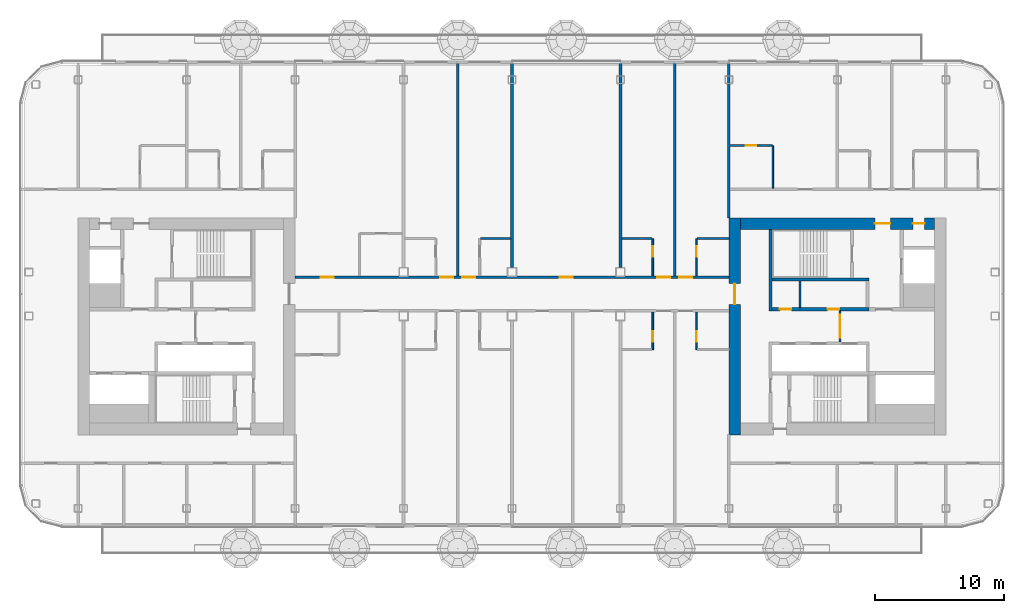
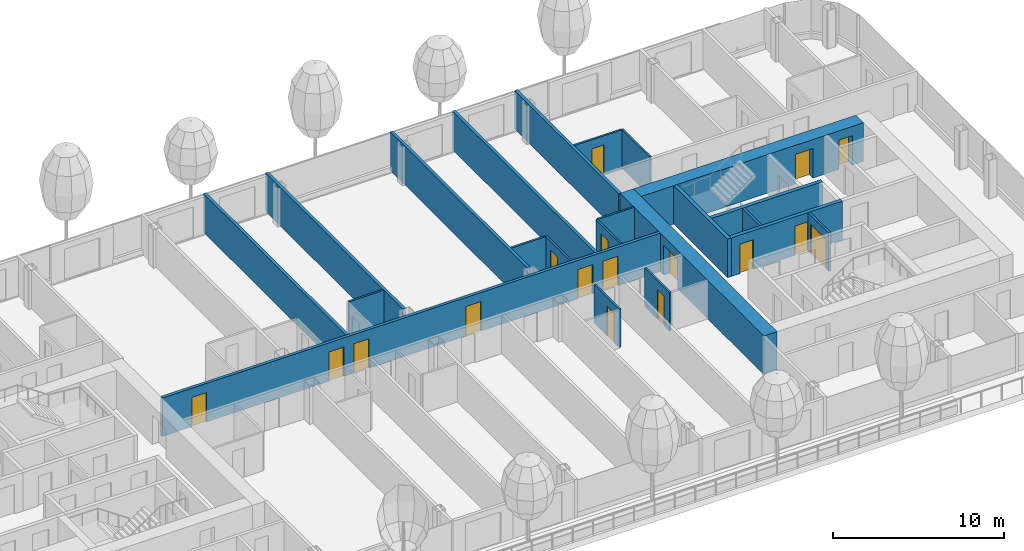
# One storey, part 13 of 28: 22 walls, 17 doors, 17 openings.
"""IFC4 building model written with IfcOpenShell, lengths in metres."""

from ifc_helpers import new_model, si_unit, direction, frame, frame_2d, origin, place, context, subcontext, project, spatial, rectangle, extrude, material, layer, layer_set, type_object, element, fill, save


model = new_model("IFC4")

# Units and contexts
model_context = context("Model", 3, precision=1e-05, world=origin(), true_north=direction((0.0, 1.0)))
body_context = subcontext(model_context, "Body", "Model", "MODEL_VIEW")
ifc_project = project(units=[si_unit("LENGTHUNIT", "METRE"), si_unit("AREAUNIT", "SQUARE_METRE"), si_unit("VOLUMEUNIT", "CUBIC_METRE"), si_unit("PLANEANGLEUNIT", "RADIAN"), si_unit("MASSUNIT", "GRAM", prefix="KILO")], contexts=[model_context])

# Site, building, storey
site_placement = place(None, origin())
site = spatial("IfcSite", under=ifc_project, at=site_placement, CompositionType="ELEMENT")
building_placement = place(site_placement, origin())
building = spatial("IfcBuilding", under=site, at=building_placement, Name="Hakoniwa Tower and Hamabe Station Hall", CompositionType="ELEMENT")
storey_placement = place(building_placement, frame((0.0, 0.0, 193.0)))
storey = spatial("IfcBuildingStorey", under=building, at=storey_placement, Name="L54", CompositionType="ELEMENT", Elevation=193.0)

# Walls
ifc_material_1 = material(Name="Gypsum board partition", Category="gypsum")
ifc_layer_1 = layer(ifc_material_1, 0.125)
ifc_layer_set_1 = layer_set([ifc_layer_1], Name="Bathroom Partition 125")
wall_type_1 = type_object("IfcWallType", Name="Bathroom Partition 125", PredefinedType="PARTITIONING", material=ifc_layer_set_1)
for number, where, z_axis, x_axis, name in (
    (1, (-2.4375, 6.800048828125, 0.0), (0.0, 0.0, 1.0), (1.0, 0.0, 0.0), "GW-L54-011"),
    (2, (8.5, 6.800048828125, 0.0), (0.0, 0.0, 1.0), (1.0, 0.0, 0.0), "GW-L54-012"),
):
    element("IfcWall", number, at=place(storey_placement, frame(where, z_axis=z_axis, x_axis=x_axis)), inside=storey, type_object=wall_type_1, Name=name, PredefinedType="PARTITIONING", context=body_context, shape_type="SweptSolid", body=[
        extrude(rectangle(XDim=2.33740234375, YDim=0.125, at=frame_2d((1.168701171875, 0.0))), origin(), (0.0, 0.0, 1.0), 2.75),
    ])
wall_1_placement = place(storey_placement, frame((14.362548828125, 6.800048828125, 0.0), z_axis=(0.0, 0.0, 1.0), x_axis=(1.0, 0.0, 0.0)))
element("IfcWall", 3, at=wall_1_placement, inside=storey, type_object=wall_type_1, Name="GW-L54-013", PredefinedType="PARTITIONING", context=body_context, shape_type="SweptSolid", body=[
    extrude(rectangle(XDim=2.447509765625, YDim=0.125, at=frame_2d((1.2236328125, 0.0))), origin(), (0.0, 0.0, 1.0), 2.75),
])

# Wall, opening, door
wall_2_placement = place(storey_placement, frame((16.89990234375, 14.0, 0.0), z_axis=(0.0, 0.0, 1.0), x_axis=(1.0, 0.0, 0.0)))
wall_2 = element("IfcWall", 4, at=wall_2_placement, inside=storey, type_object=wall_type_1, Name="GW-L54-022", PredefinedType="PARTITIONING", context=body_context, shape_type="SweptSolid", body=[
    extrude(rectangle(XDim=3.237548828125, YDim=0.125, at=frame_2d((1.61865234375, 0.0))), origin(), (0.0, 0.0, 1.0), 2.75),
])
opening_1_placement = place(wall_2_placement, frame((1.199951171875, 0.0, 0.0)))
opening_1 = element("IfcOpeningElement", 5, at=opening_1_placement, cuts=wall_2, Name="Opening GD-G4C0-33", PredefinedType="OPENING", context=body_context, shape_type="SweptSolid", body=[
    extrude(rectangle(XDim=0.800048828125, YDim=2.10009765625, at=frame_2d((0.39990234375, 1.050048828125))), frame((0.0, 0.072509765625, 0.0), z_axis=(0.0, -1.0, 0.0), x_axis=(1.0, 0.0, 0.0)), (0.0, 0.0, 1.0), 0.14501953125),
])
ifc_material_2 = material(Name="Timber door leaf", Category="wood")
door_type_1 = type_object("IfcDoorType", Name="Bathroom Door 800", OperationType="SINGLE_SWING_LEFT", PredefinedType="DOOR", material=ifc_material_2)
door_1_placement = place(opening_1_placement, origin())
door_1 = element("IfcDoor", 6, at=door_1_placement, inside=storey, type_object=door_type_1, Name="Door GD-G4C0-33", OperationType="SINGLE_SWING_RIGHT", OverallHeight=2.10009765625, OverallWidth=0.800048828125, PredefinedType="DOOR", context=body_context, shape_type="SweptSolid", body=[
    extrude(rectangle(XDim=0.800048828125, YDim=2.10009765625, at=frame_2d((0.39990234375, 1.050048828125))), frame((0.0, 0.02490234375, 0.0), z_axis=(0.0, -1.0, 0.0), x_axis=(1.0, 0.0, 0.0)), (0.0, 0.0, 1.0), 0.050048828125),
])
fill(opening_1, door_1)

wall_3_placement = place(storey_placement, frame((10.89990234375, -1.800048828125, 0.0), z_axis=(0.0, 0.0, 1.0), x_axis=(0.0, 1.0, 0.0)))
wall_3 = element("IfcWall", 7, at=wall_3_placement, inside=storey, type_object=wall_type_1, Name="GW-L54-050", PredefinedType="PARTITIONING", context=body_context, shape_type="SweptSolid", body=[
    extrude(rectangle(XDim=2.900146484375, YDim=0.125, at=frame_2d((1.4501953125, 0.0))), origin(), (0.0, 0.0, 1.0), 2.75),
])
opening_2_placement = place(wall_3_placement, frame((0.60009765625, 0.0, 0.0)))
opening_2 = element("IfcOpeningElement", 8, at=opening_2_placement, cuts=wall_3, Name="Opening GD-G4C0-41", PredefinedType="OPENING", context=body_context, shape_type="SweptSolid", body=[
    extrude(rectangle(XDim=0.800048828125, YDim=2.10009765625, at=frame_2d((0.39990234375, 1.050048828125))), frame((0.0, 0.072509765625, 0.0), z_axis=(0.0, -1.0, 0.0), x_axis=(1.0, 0.0, 0.0)), (0.0, 0.0, 1.0), 0.14501953125),
])
door_2_placement = place(opening_2_placement, origin())
door_2 = element("IfcDoor", 9, at=door_2_placement, inside=storey, type_object=door_type_1, Name="Door GD-G4C0-41", OperationType="SINGLE_SWING_RIGHT", OverallHeight=2.10009765625, OverallWidth=0.800048828125, PredefinedType="DOOR", context=body_context, shape_type="SweptSolid", body=[
    extrude(rectangle(XDim=0.800048828125, YDim=2.10009765625, at=frame_2d((0.39990234375, 1.050048828125))), frame((0.0, 0.02490234375, 0.0), z_axis=(0.0, -1.0, 0.0), x_axis=(1.0, 0.0, 0.0)), (0.0, 0.0, 1.0), 0.050048828125),
])
fill(opening_2, door_2)

wall_4_placement = place(storey_placement, frame((10.89990234375, 3.89990234375, 0.0), z_axis=(0.0, 0.0, 1.0), x_axis=(0.0, 1.0, 0.0)))
wall_4 = element("IfcWall", 10, at=wall_4_placement, inside=storey, type_object=wall_type_1, Name="GW-L54-051", PredefinedType="PARTITIONING", context=body_context, shape_type="SweptSolid", body=[
    extrude(rectangle(XDim=2.900146484375, YDim=0.125, at=frame_2d((1.4501953125, 0.0))), origin(), (0.0, 0.0, 1.0), 2.75),
])
opening_3_placement = place(wall_4_placement, frame((1.5, 0.0, 0.0)))
opening_3 = element("IfcOpeningElement", 11, at=opening_3_placement, cuts=wall_4, Name="Opening GD-G4C0-42", PredefinedType="OPENING", context=body_context, shape_type="SweptSolid", body=[
    extrude(rectangle(XDim=0.800048828125, YDim=2.10009765625, at=frame_2d((0.39990234375, 1.050048828125))), frame((0.0, 0.072509765625, 0.0), z_axis=(0.0, -1.0, 0.0), x_axis=(1.0, 0.0, 0.0)), (0.0, 0.0, 1.0), 0.14501953125),
])
door_3_placement = place(opening_3_placement, origin())
door_3 = element("IfcDoor", 12, at=door_3_placement, inside=storey, type_object=door_type_1, Name="Door GD-G4C0-42", OperationType="SINGLE_SWING_LEFT", OverallHeight=2.10009765625, OverallWidth=0.800048828125, PredefinedType="DOOR", context=body_context, shape_type="SweptSolid", body=[
    extrude(rectangle(XDim=0.800048828125, YDim=2.10009765625, at=frame_2d((0.39990234375, 1.050048828125))), frame((0.0, 0.02490234375, 0.0), z_axis=(0.0, -1.0, 0.0), x_axis=(1.0, 0.0, 0.0)), (0.0, 0.0, 1.0), 0.050048828125),
])
fill(opening_3, door_3)

wall_5_placement = place(storey_placement, frame((14.300048828125, -1.800048828125, 0.0), z_axis=(0.0, 0.0, 1.0), x_axis=(0.0, 1.0, 0.0)))
wall_5 = element("IfcWall", 13, at=wall_5_placement, inside=storey, type_object=wall_type_1, Name="GW-L54-054", PredefinedType="PARTITIONING", context=body_context, shape_type="SweptSolid", body=[
    extrude(rectangle(XDim=2.900146484375, YDim=0.125, at=frame_2d((1.4501953125, 0.0))), origin(), (0.0, 0.0, 1.0), 2.75),
])
opening_4_placement = place(wall_5_placement, frame((0.60009765625, 0.0, 0.0)))
opening_4 = element("IfcOpeningElement", 14, at=opening_4_placement, cuts=wall_5, Name="Opening GD-G4C0-43", PredefinedType="OPENING", context=body_context, shape_type="SweptSolid", body=[
    extrude(rectangle(XDim=0.800048828125, YDim=2.10009765625, at=frame_2d((0.39990234375, 1.050048828125))), frame((0.0, 0.072509765625, 0.0), z_axis=(0.0, -1.0, 0.0), x_axis=(1.0, 0.0, 0.0)), (0.0, 0.0, 1.0), 0.14501953125),
])
door_4_placement = place(opening_4_placement, origin())
door_4 = element("IfcDoor", 15, at=door_4_placement, inside=storey, type_object=door_type_1, Name="Door GD-G4C0-43", OperationType="SINGLE_SWING_LEFT", OverallHeight=2.10009765625, OverallWidth=0.800048828125, PredefinedType="DOOR", context=body_context, shape_type="SweptSolid", body=[
    extrude(rectangle(XDim=0.800048828125, YDim=2.10009765625, at=frame_2d((0.39990234375, 1.050048828125))), frame((0.0, 0.02490234375, 0.0), z_axis=(0.0, -1.0, 0.0), x_axis=(1.0, 0.0, 0.0)), (0.0, 0.0, 1.0), 0.050048828125),
])
fill(opening_4, door_4)

wall_6_placement = place(storey_placement, frame((14.300048828125, 3.89990234375, 0.0), z_axis=(0.0, 0.0, 1.0), x_axis=(0.0, 1.0, 0.0)))
wall_6 = element("IfcWall", 16, at=wall_6_placement, inside=storey, type_object=wall_type_1, Name="GW-L54-055", PredefinedType="PARTITIONING", context=body_context, shape_type="SweptSolid", body=[
    extrude(rectangle(XDim=2.900146484375, YDim=0.125, at=frame_2d((1.4501953125, 0.0))), origin(), (0.0, 0.0, 1.0), 2.75),
])
opening_5_placement = place(wall_6_placement, frame((1.5, 0.0, 0.0)))
opening_5 = element("IfcOpeningElement", 17, at=opening_5_placement, cuts=wall_6, Name="Opening GD-G4C0-44", PredefinedType="OPENING", context=body_context, shape_type="SweptSolid", body=[
    extrude(rectangle(XDim=0.800048828125, YDim=2.10009765625, at=frame_2d((0.39990234375, 1.050048828125))), frame((0.0, 0.072509765625, 0.0), z_axis=(0.0, -1.0, 0.0), x_axis=(1.0, 0.0, 0.0)), (0.0, 0.0, 1.0), 0.14501953125),
])
door_5_placement = place(opening_5_placement, origin())
door_5 = element("IfcDoor", 18, at=door_5_placement, inside=storey, type_object=door_type_1, Name="Door GD-G4C0-44", OperationType="SINGLE_SWING_RIGHT", OverallHeight=2.10009765625, OverallWidth=0.800048828125, PredefinedType="DOOR", context=body_context, shape_type="SweptSolid", body=[
    extrude(rectangle(XDim=0.800048828125, YDim=2.10009765625, at=frame_2d((0.39990234375, 1.050048828125))), frame((0.0, 0.02490234375, 0.0), z_axis=(0.0, -1.0, 0.0), x_axis=(1.0, 0.0, 0.0)), (0.0, 0.0, 1.0), 0.050048828125),
])
fill(opening_5, door_5)

# Wall
wall_7_placement = place(storey_placement, frame((20.199951171875, 10.699951171875, 0.0), z_axis=(0.0, 0.0, 1.0), x_axis=(0.0, 1.0, 0.0)))
element("IfcWall", 19, at=wall_7_placement, inside=storey, type_object=wall_type_1, Name="GW-L54-058", PredefinedType="PARTITIONING", context=body_context, shape_type="SweptSolid", body=[
    extrude(rectangle(XDim=3.300048828125, YDim=0.125, at=frame_2d((1.64990234375, 0.0))), origin(), (0.0, 0.0, 1.0), 2.75),
])

# Wall, opening, door
ifc_material_3 = material(Name="Gypsum board partition")
ifc_layer_2 = layer(ifc_material_3, 0.14990234375)
ifc_layer_set_2 = layer_set([ifc_layer_2], Name="CORE PARTITION 150 EI 60")
wall_type_2 = type_object("IfcWallType", Name="CORE PARTITION 150 EI 60", PredefinedType="PARTITIONING", material=ifc_layer_set_2)
wall_8_placement = place(storey_placement, frame((25.39990234375, -1.199951171875, 0.0), z_axis=(0.0, 0.0, 1.0), x_axis=(0.0, 1.0, 0.0)))
wall_8 = element("IfcWall", 20, at=wall_8_placement, inside=storey, type_object=wall_type_2, Name="Core partition PL0 east", PredefinedType="PARTITIONING", context=body_context, shape_type="SweptSolid", body=[
    extrude(rectangle(XDim=2.39990234375, YDim=0.14990234375, at=frame_2d((1.199951171875, 0.0))), origin(), (0.0, 0.0, 1.0), 2.75),
])
opening_6_placement = place(wall_8_placement, frame((0.300048828125, 0.0, 0.0)))
opening_6 = element("IfcOpeningElement", 21, at=opening_6_placement, cuts=wall_8, Name="Opening CD-E-LP0-18", PredefinedType="OPENING", context=body_context, shape_type="SweptSolid", body=[
    extrude(rectangle(XDim=1.800048828125, YDim=2.10009765625, at=frame_2d((0.89990234375, 1.050048828125))), frame((0.0, 0.0849609375, 0.0), z_axis=(0.0, -1.0, 0.0), x_axis=(1.0, 0.0, 0.0)), (0.0, 0.0, 1.0), 0.169921875),
])
ifc_material_4 = material(Name="Steel fire door", Category="steel")
door_type_2 = type_object("IfcDoorType", Name="CORE DOOR 1800 FD60", OperationType="DOUBLE_DOOR_SINGLE_SWING", PredefinedType="DOOR", material=ifc_material_4)
door_6_placement = place(opening_6_placement, origin())
door_6 = element("IfcDoor", 22, at=door_6_placement, inside=storey, type_object=door_type_2, Name="Lift lobby partition door", OperationType="DOUBLE_DOOR_SINGLE_SWING", OverallHeight=2.10009765625, OverallWidth=1.800048828125, PredefinedType="DOOR", context=body_context, shape_type="SweptSolid", body=[
    extrude(rectangle(XDim=1.800048828125, YDim=2.10009765625, at=frame_2d((0.89990234375, 1.050048828125))), frame((0.0, 0.02490234375, 0.0), z_axis=(0.0, -1.0, 0.0), x_axis=(1.0, 0.0, 0.0)), (0.0, 0.0, 1.0), 0.050048828125),
])
fill(opening_6, door_6)

# Wall
wall_9_placement = place(storey_placement, frame((22.300048828125, 1.449951171875, 0.0), z_axis=(0.0, 0.0, 1.0), x_axis=(0.0, 1.0, 0.0)))
element("IfcWall", 23, at=wall_9_placement, inside=storey, type_object=wall_type_2, Name="Core partition PFLR0 east", PredefinedType="PARTITIONING", context=body_context, shape_type="SweptSolid", body=[
    extrude(rectangle(XDim=2.050048828125, YDim=0.14990234375, at=frame_2d((1.02490234375, 0.0))), origin(), (0.0, 0.0, 1.0), 2.75),
])

# Wall, opening, door
ifc_material_5 = material(Name="Concrete C60", Category="concrete")
ifc_layer_3 = layer(ifc_material_5, 0.89990234375)
ifc_layer_set_3 = layer_set([ifc_layer_3], Name="CORE WALL 900 C60")
wall_type_3 = type_object("IfcWallType", Name="CORE WALL 900 C60", PredefinedType="SHEAR", material=ifc_layer_set_3)
wall_10_placement = place(storey_placement, frame((17.25, -8.39990234375, 0.0), z_axis=(0.0, 0.0, 1.0), x_axis=(0.0, 1.0, 0.0)))
wall_10 = element("IfcWall", 24, at=wall_10_placement, inside=storey, type_object=wall_type_3, Name="Core wall INNER east", PredefinedType="SHEAR", context=body_context, shape_type="SweptSolid", body=[
    extrude(rectangle(XDim=16.7998046875, YDim=0.89990234375, at=frame_2d((8.39990234375, 0.0))), origin(), (0.0, 0.0, 1.0), 2.75),
])
opening_7_placement = place(wall_10_placement, frame((10.10009765625, 0.0, 0.0)))
opening_7 = element("IfcOpeningElement", 25, at=opening_7_placement, cuts=wall_10, Name="Opening CD-E-IN1-16", PredefinedType="OPENING", context=body_context, shape_type="SweptSolid", body=[
    extrude(rectangle(XDim=1.60009765625, YDim=2.10009765625, at=frame_2d((0.800048828125, 1.050048828125))), frame((0.0, 0.4599609375, 0.0), z_axis=(0.0, -1.0, 0.0), x_axis=(1.0, 0.0, 0.0)), (0.0, 0.0, 1.0), 0.919921875),
])
ifc_material_6 = material(Name="Steel fire door", Category="steel")
door_type_3 = type_object("IfcDoorType", Name="CORE DOOR 1600 FD60", OperationType="DOUBLE_DOOR_SINGLE_SWING", PredefinedType="DOOR", material=ifc_material_6)
door_7_placement = place(opening_7_placement, origin())
door_7 = element("IfcDoor", 26, at=door_7_placement, inside=storey, type_object=door_type_3, Name="Lift lobby door", OperationType="DOUBLE_DOOR_SINGLE_SWING", OverallHeight=2.10009765625, OverallWidth=1.60009765625, PredefinedType="DOOR", context=body_context, shape_type="SweptSolid", body=[
    extrude(rectangle(XDim=1.60009765625, YDim=2.10009765625, at=frame_2d((0.800048828125, 1.050048828125))), frame((0.0, 0.02490234375, 0.0), z_axis=(0.0, -1.0, 0.0), x_axis=(1.0, 0.0, 0.0)), (0.0, 0.0, 1.0), 0.050048828125),
])
fill(opening_7, door_7)

# Wall, openings, doors
wall_11_placement = place(storey_placement, frame((17.699951171875, 7.949951171875, 0.0), z_axis=(0.0, 0.0, 1.0), x_axis=(1.0, 0.0, 0.0)))
wall_11 = element("IfcWall", 27, at=wall_11_placement, inside=storey, type_object=wall_type_3, Name="Core wall NORTH east", PredefinedType="SHEAR", context=body_context, shape_type="SweptSolid", body=[
    extrude(rectangle(XDim=15.0, YDim=0.89990234375, at=frame_2d((7.5, 0.0))), origin(), (0.0, 0.0, 1.0), 2.75),
])
opening_8_placement = place(wall_11_placement, frame((10.39990234375, 0.0, 0.0)))
opening_8 = element("IfcOpeningElement", 28, at=opening_8_placement, cuts=wall_11, Name="Opening CD-E-FN1-12", PredefinedType="OPENING", context=body_context, shape_type="SweptSolid", body=[
    extrude(rectangle(XDim=1.199951171875, YDim=2.10009765625, at=frame_2d((0.60009765625, 1.050048828125))), frame((0.0, 0.4599609375, 0.0), z_axis=(0.0, -1.0, 0.0), x_axis=(1.0, 0.0, 0.0)), (0.0, 0.0, 1.0), 0.919921875),
])
opening_9_placement = place(wall_11_placement, frame((13.35009765625, 0.0, 0.0)))
opening_9 = element("IfcOpeningElement", 29, at=opening_9_placement, cuts=wall_11, Name="Opening CD-E-FN2-9", PredefinedType="OPENING", context=body_context, shape_type="SweptSolid", body=[
    extrude(rectangle(XDim=0.89990234375, YDim=2.10009765625, at=frame_2d((0.449951171875, 1.050048828125))), frame((0.0, 0.4599609375, 0.0), z_axis=(0.0, -1.0, 0.0), x_axis=(1.0, 0.0, 0.0)), (0.0, 0.0, 1.0), 0.919921875),
])
ifc_material_7 = material(Name="Steel fire door", Category="steel")
door_type_4 = type_object("IfcDoorType", Name="CORE DOOR 1200 FD60", OperationType="DOUBLE_DOOR_SINGLE_SWING", PredefinedType="DOOR", material=ifc_material_7)
door_8_placement = place(opening_8_placement, origin())
door_8 = element("IfcDoor", 30, at=door_8_placement, inside=storey, type_object=door_type_4, Name="Stair vestibule door to the fire-fighting lobby", OperationType="DOUBLE_DOOR_SINGLE_SWING", OverallHeight=2.10009765625, OverallWidth=1.199951171875, PredefinedType="DOOR", context=body_context, shape_type="SweptSolid", body=[
    extrude(rectangle(XDim=1.199951171875, YDim=2.10009765625, at=frame_2d((0.60009765625, 1.050048828125))), frame((0.0, 0.02490234375, 0.0), z_axis=(0.0, -1.0, 0.0), x_axis=(1.0, 0.0, 0.0)), (0.0, 0.0, 1.0), 0.050048828125),
])
fill(opening_8, door_8)
ifc_material_8 = material(Name="Steel fire door", Category="steel")
door_type_5 = type_object("IfcDoorType", Name="CORE DOOR 900 FD30", OperationType="NOTDEFINED", PredefinedType="DOOR", material=ifc_material_8)
door_9_placement = place(opening_9_placement, origin())
door_9 = element("IfcDoor", 31, at=door_9_placement, inside=storey, type_object=door_type_5, Name="Riser access door", OperationType="SINGLE_SWING_RIGHT", OverallHeight=2.10009765625, OverallWidth=0.89990234375, PredefinedType="DOOR", context=body_context, shape_type="SweptSolid", body=[
    extrude(rectangle(XDim=0.89990234375, YDim=2.10009765625, at=frame_2d((0.449951171875, 1.050048828125))), frame((0.0, 0.02490234375, 0.0), z_axis=(0.0, -1.0, 0.0), x_axis=(1.0, 0.0, 0.0)), (0.0, 0.0, 1.0), 0.050048828125),
])
fill(opening_9, door_9)

# Wall
ifc_material_9 = material(Name="Concrete C60", Category="concrete")
ifc_layer_4 = layer(ifc_material_9, 0.25)
ifc_layer_set_4 = layer_set([ifc_layer_4], Name="CORE WEB WALL 250 C60")
wall_type_4 = type_object("IfcWallType", Name="CORE WEB WALL 250 C60", PredefinedType="SHEAR", material=ifc_layer_set_4)
wall_12_placement = place(storey_placement, frame((20.02490234375, 1.199951171875, 0.0), z_axis=(0.0, 0.0, 1.0), x_axis=(0.0, 1.0, 0.0)))
element("IfcWall", 32, at=wall_12_placement, inside=storey, type_object=wall_type_4, Name="Core wall W1N east", PredefinedType="SHEAR", context=body_context, shape_type="SweptSolid", body=[
    extrude(rectangle(XDim=6.300048828125, YDim=0.25, at=frame_2d((3.14990234375, 0.0))), origin(), (0.0, 0.0, 1.0), 2.75),
])

# Wall, openings, doors
wall_13_placement = place(storey_placement, frame((20.14990234375, 1.324951171875, 0.0), z_axis=(0.0, 0.0, 1.0), x_axis=(1.0, 0.0, 0.0)))
wall_13 = element("IfcWall", 33, at=wall_13_placement, inside=storey, type_object=wall_type_4, Name="Core wall NF east", PredefinedType="SHEAR", context=body_context, shape_type="SweptSolid", body=[
    extrude(rectangle(XDim=7.5, YDim=0.25, at=frame_2d((3.75, 0.0))), origin(), (0.0, 0.0, 1.0), 2.75),
])
opening_10_placement = place(wall_13_placement, frame((0.58740234375, 0.0, 0.0)))
opening_10 = element("IfcOpeningElement", 34, at=opening_10_placement, cuts=wall_13, Name="Opening CD-E-FRLR0-9", PredefinedType="OPENING", context=body_context, shape_type="SweptSolid", body=[
    extrude(rectangle(XDim=0.89990234375, YDim=2.10009765625, at=frame_2d((0.449951171875, 1.050048828125))), frame((0.0, 0.135009765625, 0.0), z_axis=(0.0, -1.0, 0.0), x_axis=(1.0, 0.0, 0.0)), (0.0, 0.0, 1.0), 0.27001953125),
])
opening_11_placement = place(wall_13_placement, frame((4.28759765625, 0.0, 0.0)))
opening_11 = element("IfcOpeningElement", 35, at=opening_11_placement, cuts=wall_13, Name="Opening CD-E-FRLR1-9", PredefinedType="OPENING", context=body_context, shape_type="SweptSolid", body=[
    extrude(rectangle(XDim=0.89990234375, YDim=2.10009765625, at=frame_2d((0.449951171875, 1.050048828125))), frame((0.0, 0.135009765625, 0.0), z_axis=(0.0, -1.0, 0.0), x_axis=(1.0, 0.0, 0.0)), (0.0, 0.0, 1.0), 0.27001953125),
])
door_10_placement = place(opening_10_placement, origin())
door_10 = element("IfcDoor", 36, at=door_10_placement, inside=storey, type_object=door_type_5, Name="Store room door", OperationType="SINGLE_SWING_RIGHT", OverallHeight=2.10009765625, OverallWidth=0.89990234375, PredefinedType="DOOR", context=body_context, shape_type="SweptSolid", body=[
    extrude(rectangle(XDim=0.89990234375, YDim=2.10009765625, at=frame_2d((0.449951171875, 1.050048828125))), frame((0.0, 0.02490234375, 0.0), z_axis=(0.0, -1.0, 0.0), x_axis=(1.0, 0.0, 0.0)), (0.0, 0.0, 1.0), 0.050048828125),
])
fill(opening_10, door_10)
door_11_placement = place(opening_11_placement, origin())
door_11 = element("IfcDoor", 37, at=door_11_placement, inside=storey, type_object=door_type_5, Name="Store room door", OperationType="SINGLE_SWING_RIGHT", OverallHeight=2.10009765625, OverallWidth=0.89990234375, PredefinedType="DOOR", context=body_context, shape_type="SweptSolid", body=[
    extrude(rectangle(XDim=0.89990234375, YDim=2.10009765625, at=frame_2d((0.449951171875, 1.050048828125))), frame((0.0, 0.02490234375, 0.0), z_axis=(0.0, -1.0, 0.0), x_axis=(1.0, 0.0, 0.0)), (0.0, 0.0, 1.0), 0.050048828125),
])
fill(opening_11, door_11)

# Wall
wall_14_placement = place(storey_placement, frame((20.14990234375, 3.625, 0.0), z_axis=(0.0, 0.0, 1.0), x_axis=(1.0, 0.0, 0.0)))
element("IfcWall", 38, at=wall_14_placement, inside=storey, type_object=wall_type_4, Name="Core wall NR east", PredefinedType="SHEAR", context=body_context, shape_type="SweptSolid", body=[
    extrude(rectangle(XDim=7.5, YDim=0.25, at=frame_2d((3.75, 0.0))), origin(), (0.0, 0.0, 1.0), 2.75),
])

# Wall, openings, doors
ifc_material_10 = material(Name="Fire-rated gypsum board partition", Category="gypsum")
ifc_layer_5 = layer(ifc_material_10, 0.199951171875)
ifc_layer_set_5 = layer_set([ifc_layer_5], Name="Corridor Wall 200")
wall_type_5 = type_object("IfcWallType", Name="Corridor Wall 200", PredefinedType="PARTITIONING", material=ifc_layer_set_5)
wall_15_placement = place(storey_placement, frame((-16.800048828125, 3.800048828125, 0.0), z_axis=(0.0, 0.0, 1.0), x_axis=(1.0, 0.0, 0.0)))
wall_15 = element("IfcWall", 39, at=wall_15_placement, inside=storey, type_object=wall_type_5, Name="GW-L54-009", PredefinedType="PARTITIONING", context=body_context, shape_type="SweptSolid", body=[
    extrude(rectangle(XDim=33.60009765625, YDim=0.199951171875, at=frame_2d((16.800048828125, 0.0))), origin(), (0.0, 0.0, 1.0), 2.75),
])
opening_12_placement = place(wall_15_placement, frame((2.0, 0.0, 0.0)))
opening_12 = element("IfcOpeningElement", 40, at=opening_12_placement, cuts=wall_15, Name="Opening GD-G4C0-18", PredefinedType="OPENING", context=body_context, shape_type="SweptSolid", body=[
    extrude(rectangle(XDim=1.0, YDim=2.10009765625, at=frame_2d((0.5, 1.050048828125))), frame((0.0, 0.10986328125, 0.0), z_axis=(0.0, -1.0, 0.0), x_axis=(1.0, 0.0, 0.0)), (0.0, 0.0, 1.0), 0.219970703125),
])
opening_13_placement = place(wall_15_placement, frame((11.25, 0.0, 0.0)))
opening_13 = element("IfcOpeningElement", 41, at=opening_13_placement, cuts=wall_15, Name="Opening GD-G4C0-19", PredefinedType="OPENING", context=body_context, shape_type="SweptSolid", body=[
    extrude(rectangle(XDim=1.0, YDim=2.10009765625, at=frame_2d((0.5, 1.050048828125))), frame((0.0, 0.10986328125, 0.0), z_axis=(0.0, -1.0, 0.0), x_axis=(1.0, 0.0, 0.0)), (0.0, 0.0, 1.0), 0.219970703125),
])
opening_14_placement = place(wall_15_placement, frame((12.949951171875, 0.0, 0.0)))
opening_14 = element("IfcOpeningElement", 42, at=opening_14_placement, cuts=wall_15, Name="Opening GD-G4C0-20", PredefinedType="OPENING", context=body_context, shape_type="SweptSolid", body=[
    extrude(rectangle(XDim=1.0, YDim=2.10009765625, at=frame_2d((0.5, 1.050048828125))), frame((0.0, 0.10986328125, 0.0), z_axis=(0.0, -1.0, 0.0), x_axis=(1.0, 0.0, 0.0)), (0.0, 0.0, 1.0), 0.219970703125),
])
opening_15_placement = place(wall_15_placement, frame((20.5, 0.0, 0.0)))
opening_15 = element("IfcOpeningElement", 43, at=opening_15_placement, cuts=wall_15, Name="Opening GD-G4C0-21", PredefinedType="OPENING", context=body_context, shape_type="SweptSolid", body=[
    extrude(rectangle(XDim=1.0, YDim=2.10009765625, at=frame_2d((0.5, 1.050048828125))), frame((0.0, 0.10986328125, 0.0), z_axis=(0.0, -1.0, 0.0), x_axis=(1.0, 0.0, 0.0)), (0.0, 0.0, 1.0), 0.219970703125),
])
opening_16_placement = place(wall_15_placement, frame((28.050048828125, 0.0, 0.0)))
opening_16 = element("IfcOpeningElement", 44, at=opening_16_placement, cuts=wall_15, Name="Opening GD-G4C0-22", PredefinedType="OPENING", context=body_context, shape_type="SweptSolid", body=[
    extrude(rectangle(XDim=1.0, YDim=2.10009765625, at=frame_2d((0.5, 1.050048828125))), frame((0.0, 0.10986328125, 0.0), z_axis=(0.0, -1.0, 0.0), x_axis=(1.0, 0.0, 0.0)), (0.0, 0.0, 1.0), 0.219970703125),
])
opening_17_placement = place(wall_15_placement, frame((29.75, 0.0, 0.0)))
opening_17 = element("IfcOpeningElement", 45, at=opening_17_placement, cuts=wall_15, Name="Opening GD-G4C0-23", PredefinedType="OPENING", context=body_context, shape_type="SweptSolid", body=[
    extrude(rectangle(XDim=1.0, YDim=2.10009765625, at=frame_2d((0.5, 1.050048828125))), frame((0.0, 0.10986328125, 0.0), z_axis=(0.0, -1.0, 0.0), x_axis=(1.0, 0.0, 0.0)), (0.0, 0.0, 1.0), 0.219970703125),
])
ifc_material_11 = material(Name="Timber door leaf", Category="wood")
door_type_6 = type_object("IfcDoorType", Name="Guest Entrance Door 1000", OperationType="SINGLE_SWING_LEFT", PredefinedType="DOOR", material=ifc_material_11)
door_12_placement = place(opening_12_placement, origin())
door_12 = element("IfcDoor", 46, at=door_12_placement, inside=storey, type_object=door_type_6, Name="Door GD-G4C0-18", OperationType="SINGLE_SWING_RIGHT", OverallHeight=2.10009765625, OverallWidth=1.0, PredefinedType="DOOR", context=body_context, shape_type="SweptSolid", body=[
    extrude(rectangle(XDim=1.0, YDim=2.10009765625, at=frame_2d((0.5, 1.050048828125))), frame((0.0, 0.02490234375, 0.0), z_axis=(0.0, -1.0, 0.0), x_axis=(1.0, 0.0, 0.0)), (0.0, 0.0, 1.0), 0.050048828125),
])
fill(opening_12, door_12)
door_13_placement = place(opening_13_placement, origin())
door_13 = element("IfcDoor", 47, at=door_13_placement, inside=storey, type_object=door_type_6, Name="Door GD-G4C0-19", OperationType="SINGLE_SWING_LEFT", OverallHeight=2.10009765625, OverallWidth=1.0, PredefinedType="DOOR", context=body_context, shape_type="SweptSolid", body=[
    extrude(rectangle(XDim=1.0, YDim=2.10009765625, at=frame_2d((0.5, 1.050048828125))), frame((0.0, 0.02490234375, 0.0), z_axis=(0.0, -1.0, 0.0), x_axis=(1.0, 0.0, 0.0)), (0.0, 0.0, 1.0), 0.050048828125),
])
fill(opening_13, door_13)
door_14_placement = place(opening_14_placement, origin())
door_14 = element("IfcDoor", 48, at=door_14_placement, inside=storey, type_object=door_type_6, Name="Door GD-G4C0-20", OperationType="SINGLE_SWING_LEFT", OverallHeight=2.10009765625, OverallWidth=1.0, PredefinedType="DOOR", context=body_context, shape_type="SweptSolid", body=[
    extrude(rectangle(XDim=1.0, YDim=2.10009765625, at=frame_2d((0.5, 1.050048828125))), frame((0.0, 0.02490234375, 0.0), z_axis=(0.0, -1.0, 0.0), x_axis=(1.0, 0.0, 0.0)), (0.0, 0.0, 1.0), 0.050048828125),
])
fill(opening_14, door_14)
door_15_placement = place(opening_15_placement, origin())
door_15 = element("IfcDoor", 49, at=door_15_placement, inside=storey, type_object=door_type_6, Name="Door GD-G4C0-21", OperationType="SINGLE_SWING_RIGHT", OverallHeight=2.10009765625, OverallWidth=1.0, PredefinedType="DOOR", context=body_context, shape_type="SweptSolid", body=[
    extrude(rectangle(XDim=1.0, YDim=2.10009765625, at=frame_2d((0.5, 1.050048828125))), frame((0.0, 0.02490234375, 0.0), z_axis=(0.0, -1.0, 0.0), x_axis=(1.0, 0.0, 0.0)), (0.0, 0.0, 1.0), 0.050048828125),
])
fill(opening_15, door_15)
door_16_placement = place(opening_16_placement, origin())
door_16 = element("IfcDoor", 50, at=door_16_placement, inside=storey, type_object=door_type_6, Name="Door GD-G4C0-22", OperationType="SINGLE_SWING_LEFT", OverallHeight=2.10009765625, OverallWidth=1.0, PredefinedType="DOOR", context=body_context, shape_type="SweptSolid", body=[
    extrude(rectangle(XDim=1.0, YDim=2.10009765625, at=frame_2d((0.5, 1.050048828125))), frame((0.0, 0.02490234375, 0.0), z_axis=(0.0, -1.0, 0.0), x_axis=(1.0, 0.0, 0.0)), (0.0, 0.0, 1.0), 0.050048828125),
])
fill(opening_16, door_16)
door_17_placement = place(opening_17_placement, origin())
door_17 = element("IfcDoor", 51, at=door_17_placement, inside=storey, type_object=door_type_6, Name="Door GD-G4C0-23", OperationType="SINGLE_SWING_RIGHT", OverallHeight=2.10009765625, OverallWidth=1.0, PredefinedType="DOOR", context=body_context, shape_type="SweptSolid", body=[
    extrude(rectangle(XDim=1.0, YDim=2.10009765625, at=frame_2d((0.5, 1.050048828125))), frame((0.0, 0.02490234375, 0.0), z_axis=(0.0, -1.0, 0.0), x_axis=(1.0, 0.0, 0.0)), (0.0, 0.0, 1.0), 0.050048828125),
])
fill(opening_17, door_17)

# Walls
ifc_material_12 = material(Name="Fire-rated gypsum board partition", Category="gypsum")
ifc_layer_6 = layer(ifc_material_12, 0.199951171875)
ifc_layer_set_6 = layer_set([ifc_layer_6], Name="Party Wall 200")
wall_type_6 = type_object("IfcWallType", Name="Party Wall 200", PredefinedType="PARTITIONING", material=ifc_layer_set_6)
wall_16_placement = place(storey_placement, frame((-4.199951171875, 3.89990234375, 0.0), z_axis=(0.0, 0.0, 1.0), x_axis=(0.0, 1.0, 0.0)))
element("IfcWall", 52, at=wall_16_placement, inside=storey, type_object=wall_type_6, Name="GW-L54-042", PredefinedType="PARTITIONING", context=body_context, shape_type="SweptSolid", body=[
    extrude(rectangle(XDim=16.650146484375, YDim=0.199951171875, at=frame_2d((8.3251953125, 0.0))), origin(), (0.0, 0.0, 1.0), 2.75),
])
for number, where, z_axis, x_axis, name in (
    (53, (0.0, 4.5400390625, 0.0), (0.0, 0.0, 1.0), (0.0, 1.0, 0.0), "GW-L54-046"),
    (54, (8.39990234375, 4.5400390625, 0.0), (0.0, 0.0, 1.0), (0.0, 1.0, 0.0), "GW-L54-049"),
):
    element("IfcWall", number, at=place(storey_placement, frame(where, z_axis=z_axis, x_axis=x_axis)), inside=storey, type_object=wall_type_6, Name=name, PredefinedType="PARTITIONING", context=body_context, shape_type="SweptSolid", body=[
        extrude(rectangle(XDim=16.010009765625, YDim=0.199951171875, at=frame_2d((8.0048828125, 0.0))), origin(), (0.0, 0.0, 1.0), 2.75),
    ])
wall_17_placement = place(storey_placement, frame((12.60009765625, 3.89990234375, 0.0), z_axis=(0.0, 0.0, 1.0), x_axis=(0.0, 1.0, 0.0)))
element("IfcWall", 55, at=wall_17_placement, inside=storey, type_object=wall_type_6, Name="GW-L54-053", PredefinedType="PARTITIONING", context=body_context, shape_type="SweptSolid", body=[
    extrude(rectangle(XDim=16.650146484375, YDim=0.199951171875, at=frame_2d((8.3251953125, 0.0))), origin(), (0.0, 0.0, 1.0), 2.75),
])
wall_18_placement = place(storey_placement, frame((16.800048828125, 8.389892578125, 0.0), z_axis=(0.0, 0.0, 1.0), x_axis=(0.0, 1.0, 0.0)))
element("IfcWall", 56, at=wall_18_placement, inside=storey, type_object=wall_type_6, Name="GW-L54-057", PredefinedType="PARTITIONING", context=body_context, shape_type="SweptSolid", body=[
    extrude(rectangle(XDim=12.16015625, YDim=0.199951171875, at=frame_2d((6.080078125, 0.0))), origin(), (0.0, 0.0, 1.0), 2.75),
])

save(model, "model.ifc")
